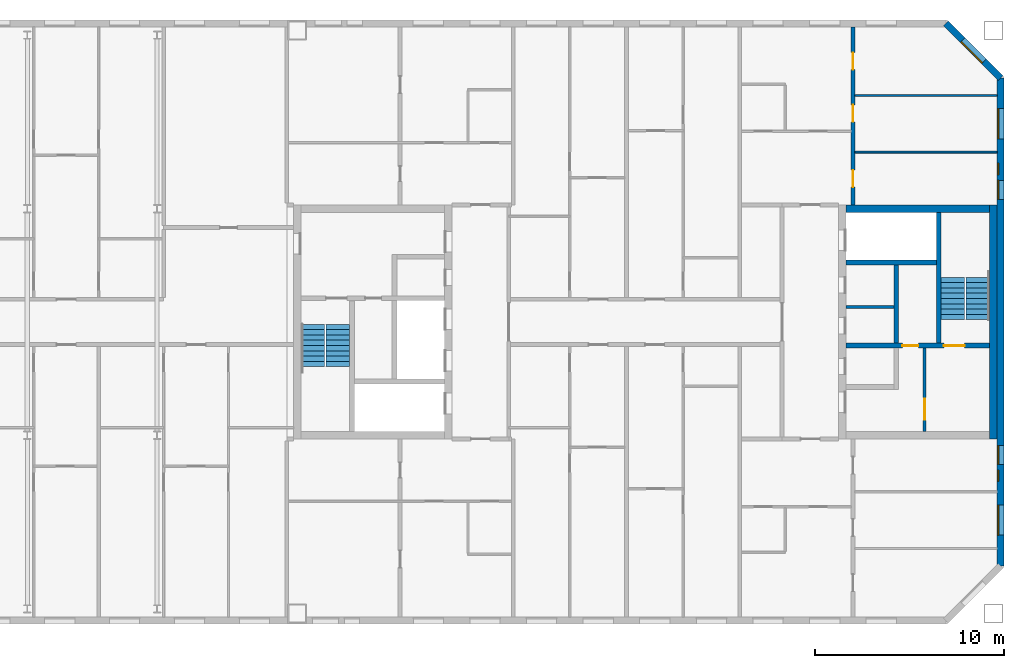
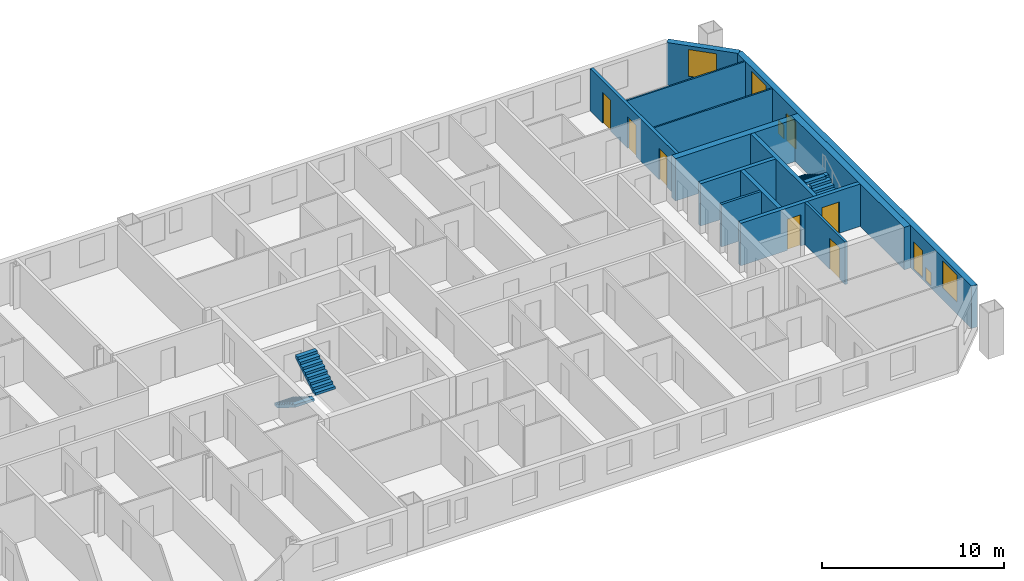
# One storey, part 17 of 19: 13 walls, 7 windows, 6 doors, 4 stair flights, 13 openings, 2 elements without a shape of their own.
"""IFC4 building model written with IfcOpenShell, lengths in metres."""

from ifc_helpers import new_model, si_unit, direction, frame, frame_2d, origin, place, context, subcontext, project, spatial, polyline, rectangle, outline, extrude, material, layer, layer_set, type_object, element, fill, aggregate, save


model = new_model("IFC4")

# Units and contexts
model_context = context("Model", 3, precision=1e-05, world=origin(), true_north=direction((0.0, 1.0)))
body_context = subcontext(model_context, "Body", "Model", "MODEL_VIEW")
ifc_project = project(units=[si_unit("LENGTHUNIT", "METRE"), si_unit("AREAUNIT", "SQUARE_METRE"), si_unit("VOLUMEUNIT", "CUBIC_METRE"), si_unit("PLANEANGLEUNIT", "RADIAN"), si_unit("MASSUNIT", "GRAM", prefix="KILO")], contexts=[model_context])

# Site, building, storey
site_placement = place(None, origin())
site = spatial("IfcSite", under=ifc_project, at=site_placement, CompositionType="ELEMENT")
building_placement = place(site_placement, origin())
building = spatial("IfcBuilding", under=site, at=building_placement, Name="Tuart Gate Housing", CompositionType="ELEMENT")
storey_placement = place(building_placement, frame((0.0, 0.0, 209.0)))
storey = spatial("IfcBuildingStorey", under=building, at=storey_placement, Name="L59", CompositionType="ELEMENT", Elevation=209.0)

# Wall, openings, windows
ifc_material_1 = material(Name="Brick", Category="masonry")
ifc_layer_1 = layer(ifc_material_1, 0.360107421875)
ifc_layer_set_1 = layer_set([ifc_layer_1], Name="Brick pier and spandrel wall 360")
wall_type_1 = type_object("IfcWallType", Name="Brick pier and spandrel wall 360", PredefinedType="STANDARD", material=ifc_layer_set_1)
wall_1_placement = place(storey_placement, frame((168.820068359375, 57.07470703125, 0.0), z_axis=(0.0, 0.0, 1.0), x_axis=(0.0, 1.0, 0.0)))
wall_1 = element("IfcWall", 1, at=wall_1_placement, inside=storey, type_object=wall_type_1, Name="External wall BLK-E L59", PredefinedType="STANDARD", context=body_context, shape_type="SweptSolid", body=[
    extrude(rectangle(XDim=25.850830078125, YDim=0.360107421875, at=frame_2d((12.92529296875, 0.0))), origin(), (0.0, 0.0, 1.0), 2.85009765625),
])
opening_1_placement = place(wall_1_placement, frame((1.62548828125, 0.0, 0.800048828125)))
opening_1 = element("IfcOpeningElement", 2, at=opening_1_placement, cuts=wall_1, Name="Opening W1", PredefinedType="OPENING", context=body_context, shape_type="SweptSolid", body=[
    extrude(rectangle(XDim=1.60009765625, YDim=1.800048828125, at=frame_2d((0.800048828125, 0.89990234375))), frame((0.0, 0.18994140625, 0.0), z_axis=(0.0, -1.0, 0.0), x_axis=(1.0, 0.0, 0.0)), (0.0, 0.0, 1.0), 0.380126953125),
])
opening_2_placement = place(wall_1_placement, frame((4.475341796875, 0.0, 0.14990234375)))
opening_2 = element("IfcOpeningElement", 3, at=opening_2_placement, cuts=wall_1, Name="Opening W1W", PredefinedType="OPENING", context=body_context, shape_type="SweptSolid", body=[
    extrude(rectangle(XDim=0.60009765625, YDim=0.89990234375, at=frame_2d((0.300048828125, 0.449951171875))), frame((0.0, 0.18994140625, 0.0), z_axis=(0.0, -1.0, 0.0), x_axis=(1.0, 0.0, 0.0)), (0.0, 0.0, 1.0), 0.380126953125),
])
opening_3_placement = place(wall_1_placement, frame((19.42529296875, 0.0, 0.25)))
opening_3 = element("IfcOpeningElement", 4, at=opening_3_placement, cuts=wall_1, Name="Opening W1C", PredefinedType="OPENING", context=body_context, shape_type="SweptSolid", body=[
    extrude(rectangle(XDim=1.0, YDim=1.800048828125, at=frame_2d((0.5, 0.89990234375))), frame((0.0, 0.18994140625, 0.0), z_axis=(0.0, -1.0, 0.0), x_axis=(1.0, 0.0, 0.0)), (0.0, 0.0, 1.0), 0.380126953125),
])
opening_4_placement = place(wall_1_placement, frame((22.62548828125, 0.0, 0.800048828125)))
opening_4 = element("IfcOpeningElement", 5, at=opening_4_placement, cuts=wall_1, Name="Opening W1", PredefinedType="OPENING", context=body_context, shape_type="SweptSolid", body=[
    extrude(rectangle(XDim=1.60009765625, YDim=1.800048828125, at=frame_2d((0.800048828125, 0.89990234375))), frame((0.0, 0.18994140625, 0.0), z_axis=(0.0, -1.0, 0.0), x_axis=(1.0, 0.0, 0.0)), (0.0, 0.0, 1.0), 0.380126953125),
])
opening_5_placement = place(wall_1_placement, frame((5.37548828125, 0.0, 0.14990234375)))
opening_5 = element("IfcOpeningElement", 6, at=opening_5_placement, cuts=wall_1, Name="Opening W1C", PredefinedType="OPENING", context=body_context, shape_type="SweptSolid", body=[
    extrude(rectangle(XDim=1.0, YDim=1.800048828125, at=frame_2d((0.5, 0.89990234375))), frame((0.0, 0.18994140625, 0.0), z_axis=(0.0, -1.0, 0.0), x_axis=(1.0, 0.0, 0.0)), (0.0, 0.0, 1.0), 0.380126953125),
])
opening_6_placement = place(wall_1_placement, frame((20.725341796875, 0.0, 0.14990234375)))
opening_6 = element("IfcOpeningElement", 7, at=opening_6_placement, cuts=wall_1, Name="Opening W1W", PredefinedType="OPENING", context=body_context, shape_type="SweptSolid", body=[
    extrude(rectangle(XDim=0.60009765625, YDim=0.89990234375, at=frame_2d((0.300048828125, 0.449951171875))), frame((0.0, 0.18994140625, 0.0), z_axis=(0.0, -1.0, 0.0), x_axis=(1.0, 0.0, 0.0)), (0.0, 0.0, 1.0), 0.380126953125),
])
ifc_material_2 = material(Name="Aluminium frame with clear glass", Category="aluminium")
window_type_1 = type_object("IfcWindowType", Name="Punched window 1000 x 1800", PartitioningType="SINGLE_PANEL", PredefinedType="WINDOW", material=ifc_material_2)
window_1_placement = place(opening_3_placement, origin())
window_1 = element("IfcWindow", 8, at=window_1_placement, inside=storey, type_object=window_type_1, Name="Window W1C", OverallHeight=1.800048828125, OverallWidth=1.0, PartitioningType="SINGLE_PANEL", PredefinedType="WINDOW", context=body_context, shape_type="SweptSolid", body=[
    extrude(rectangle(XDim=1.0, YDim=1.800048828125, at=frame_2d((0.5, 0.89990234375))), frame((0.0, 0.150146484375, 0.0), z_axis=(0.0, -1.0, 0.0), x_axis=(1.0, 0.0, 0.0)), (0.0, 0.0, 1.0), 0.06005859375),
])
fill(opening_3, window_1)
window_2_placement = place(opening_5_placement, origin())
window_2 = element("IfcWindow", 9, at=window_2_placement, inside=storey, type_object=window_type_1, Name="Window W1C", OverallHeight=1.800048828125, OverallWidth=1.0, PartitioningType="SINGLE_PANEL", PredefinedType="WINDOW", context=body_context, shape_type="SweptSolid", body=[
    extrude(rectangle(XDim=1.0, YDim=1.800048828125, at=frame_2d((0.5, 0.89990234375))), frame((0.0, 0.150146484375, 0.0), z_axis=(0.0, -1.0, 0.0), x_axis=(1.0, 0.0, 0.0)), (0.0, 0.0, 1.0), 0.06005859375),
])
fill(opening_5, window_2)
ifc_material_3 = material(Name="Aluminium frame with clear glass", Category="aluminium")
window_type_2 = type_object("IfcWindowType", Name="Punched window 1600 x 1800", PartitioningType="SINGLE_PANEL", PredefinedType="WINDOW", material=ifc_material_3)
window_3_placement = place(opening_1_placement, origin())
window_3 = element("IfcWindow", 10, at=window_3_placement, inside=storey, type_object=window_type_2, Name="Window W1", OverallHeight=1.800048828125, OverallWidth=1.60009765625, PartitioningType="SINGLE_PANEL", PredefinedType="WINDOW", context=body_context, shape_type="SweptSolid", body=[
    extrude(rectangle(XDim=1.60009765625, YDim=1.800048828125, at=frame_2d((0.800048828125, 0.89990234375))), frame((0.0, 0.150146484375, 0.0), z_axis=(0.0, -1.0, 0.0), x_axis=(1.0, 0.0, 0.0)), (0.0, 0.0, 1.0), 0.06005859375),
])
fill(opening_1, window_3)
window_4_placement = place(opening_4_placement, origin())
window_4 = element("IfcWindow", 11, at=window_4_placement, inside=storey, type_object=window_type_2, Name="Window W1", OverallHeight=1.800048828125, OverallWidth=1.60009765625, PartitioningType="SINGLE_PANEL", PredefinedType="WINDOW", context=body_context, shape_type="SweptSolid", body=[
    extrude(rectangle(XDim=1.60009765625, YDim=1.800048828125, at=frame_2d((0.800048828125, 0.89990234375))), frame((0.0, 0.150146484375, 0.0), z_axis=(0.0, -1.0, 0.0), x_axis=(1.0, 0.0, 0.0)), (0.0, 0.0, 1.0), 0.06005859375),
])
fill(opening_4, window_4)
ifc_material_4 = material(Name="Aluminium frame with clear glass", Category="aluminium")
window_type_3 = type_object("IfcWindowType", Name="Punched window 600 x 900", PartitioningType="SINGLE_PANEL", PredefinedType="WINDOW", material=ifc_material_4)
window_5_placement = place(opening_2_placement, origin())
window_5 = element("IfcWindow", 12, at=window_5_placement, inside=storey, type_object=window_type_3, Name="Window W1W", OverallHeight=0.89990234375, OverallWidth=0.60009765625, PartitioningType="SINGLE_PANEL", PredefinedType="WINDOW", context=body_context, shape_type="SweptSolid", body=[
    extrude(rectangle(XDim=0.60009765625, YDim=0.89990234375, at=frame_2d((0.300048828125, 0.449951171875))), frame((0.0, 0.150146484375, 0.0), z_axis=(0.0, -1.0, 0.0), x_axis=(1.0, 0.0, 0.0)), (0.0, 0.0, 1.0), 0.06005859375),
])
fill(opening_2, window_5)
window_6_placement = place(opening_6_placement, origin())
window_6 = element("IfcWindow", 13, at=window_6_placement, inside=storey, type_object=window_type_3, Name="Window W1W", OverallHeight=0.89990234375, OverallWidth=0.60009765625, PartitioningType="SINGLE_PANEL", PredefinedType="WINDOW", context=body_context, shape_type="SweptSolid", body=[
    extrude(rectangle(XDim=0.60009765625, YDim=0.89990234375, at=frame_2d((0.300048828125, 0.449951171875))), frame((0.0, 0.150146484375, 0.0), z_axis=(0.0, -1.0, 0.0), x_axis=(1.0, 0.0, 0.0)), (0.0, 0.0, 1.0), 0.06005859375),
])
fill(opening_6, window_6)

# Wall, opening, window
wall_2_placement = place(storey_placement, frame((168.820068359375, 82.92529296875, 0.0), z_axis=(0.0, 0.0, 1.0), x_axis=(-0.707106781187, 0.707106781187, 0.0)))
wall_2 = element("IfcWall", 14, at=wall_2_placement, inside=storey, type_object=wall_type_1, Name="External wall BLK-NE L59", PredefinedType="STANDARD", context=body_context, shape_type="SweptSolid", body=[
    extrude(rectangle(XDim=4.09375, YDim=0.360107421875, at=frame_2d((2.046875, 0.0))), origin(), (0.0, 0.0, 1.0), 2.85009765625),
])
opening_7_placement = place(wall_2_placement, frame((1.2470703125, 0.0, 0.800048828125)))
opening_7 = element("IfcOpeningElement", 15, at=opening_7_placement, cuts=wall_2, Name="Opening W1", PredefinedType="OPENING", context=body_context, shape_type="SweptSolid", body=[
    extrude(rectangle(XDim=1.60009765625, YDim=1.800048828125, at=frame_2d((0.800048828125, 0.89990234375))), frame((0.0, 0.18994140625, 0.0), z_axis=(0.0, -1.0, 0.0), x_axis=(1.0, 0.0, 0.0)), (0.0, 0.0, 1.0), 0.380126953125),
])
window_7_placement = place(opening_7_placement, origin())
window_7 = element("IfcWindow", 16, at=window_7_placement, inside=storey, type_object=window_type_2, Name="Window W1", OverallHeight=1.800048828125, OverallWidth=1.60009765625, PartitioningType="SINGLE_PANEL", PredefinedType="WINDOW", context=body_context, shape_type="SweptSolid", body=[
    extrude(rectangle(XDim=1.60009765625, YDim=1.800048828125, at=frame_2d((0.800048828125, 0.89990234375))), frame((0.0, 0.150146484375, 0.0), z_axis=(0.0, -1.0, 0.0), x_axis=(1.0, 0.0, 0.0)), (0.0, 0.0, 1.0), 0.06005859375),
])
fill(opening_7, window_7)

# Wall
ifc_material_5 = material(Name="Plasterboard partition")
ifc_layer_2 = layer(ifc_material_5, 0.14990234375)
ifc_layer_set_2 = layer_set([ifc_layer_2], Name="Core partition 150")
wall_type_2 = type_object("IfcWallType", Name="Core partition 150", PredefinedType="PARTITIONING", material=ifc_layer_set_2)
wall_3_placement = place(storey_placement, frame((160.639892578125, 70.800048828125, 0.0), z_axis=(0.0, 0.0, 1.0), x_axis=(1.0, 0.0, 0.0)))
element("IfcWall", 17, at=wall_3_placement, inside=storey, type_object=wall_type_2, Name="Core partition BK.2", PredefinedType="PARTITIONING", context=body_context, shape_type="SweptSolid", body=[
    extrude(rectangle(XDim=2.525146484375, YDim=0.14990234375, at=frame_2d((1.2626953125, 0.0))), origin(), (0.0, 0.0, 1.0), 2.85009765625),
])

# Wall, opening, door
wall_4_placement = place(storey_placement, frame((164.7900390625, 68.625, 0.0), z_axis=(0.0, 0.0, 1.0), x_axis=(0.0, -1.0, 0.0)))
wall_4 = element("IfcWall", 18, at=wall_4_placement, inside=storey, type_object=wall_type_2, Name="Core partition BK.7", PredefinedType="PARTITIONING", context=body_context, shape_type="SweptSolid", body=[
    extrude(rectangle(XDim=4.425048828125, YDim=0.14990234375, at=frame_2d((2.21240234375, 0.0))), origin(), (0.0, 0.0, 1.0), 2.85009765625),
])
opening_8_placement = place(wall_4_placement, frame((2.699951171875, 0.0, 0.0)))
opening_8 = element("IfcOpeningElement", 19, at=opening_8_placement, cuts=wall_4, Name="Opening D2258", PredefinedType="OPENING", context=body_context, shape_type="SweptSolid", body=[
    extrude(rectangle(XDim=1.10009765625, YDim=2.10009765625, at=frame_2d((0.550048828125, 1.050048828125))), frame((0.0, 0.0849609375, 0.0), z_axis=(0.0, -1.0, 0.0), x_axis=(1.0, 0.0, 0.0)), (0.0, 0.0, 1.0), 0.169921875),
])
ifc_material_6 = material(Name="Steel fire door", Category="steel")
door_type_1 = type_object("IfcDoorType", Name="Lobby door 1100 x 2100 RH", OperationType="SINGLE_SWING_RIGHT", PredefinedType="DOOR", material=ifc_material_6)
door_1_placement = place(opening_8_placement, origin())
door_1 = element("IfcDoor", 20, at=door_1_placement, inside=storey, type_object=door_type_1, Name="Smoke lobby door BK.KD", OperationType="SINGLE_SWING_RIGHT", OverallHeight=2.10009765625, OverallWidth=1.10009765625, PredefinedType="DOOR", context=body_context, shape_type="SweptSolid", body=[
    extrude(rectangle(XDim=1.10009765625, YDim=2.10009765625, at=frame_2d((0.550048828125, 1.050048828125))), frame((0.0, 0.02490234375, 0.0), z_axis=(0.0, -1.0, 0.0), x_axis=(1.0, 0.0, 0.0)), (0.0, 0.0, 1.0), 0.050048828125),
])
fill(opening_8, door_1)

# Wall
ifc_material_7 = material(Name="Concrete C40", Category="concrete")
ifc_layer_3 = layer(ifc_material_7, 0.25)
ifc_layer_set_3 = layer_set([ifc_layer_3], Name="Core wall 250 C40")
wall_type_3 = type_object("IfcWallType", Name="Core wall 250 C40", PredefinedType="SHEAR", material=ifc_layer_set_3)
wall_5_placement = place(storey_placement, frame((160.639892578125, 73.14990234375, 0.0), z_axis=(0.0, 0.0, 1.0), x_axis=(1.0, 0.0, 0.0)))
element("IfcWall", 21, at=wall_5_placement, inside=storey, type_object=wall_type_3, Name="Core wall BK.1", PredefinedType="SHEAR", context=body_context, shape_type="SweptSolid", body=[
    extrude(rectangle(XDim=4.775146484375, YDim=0.25, at=frame_2d((2.3876953125, 0.0))), origin(), (0.0, 0.0, 1.0), 2.85009765625),
])

# Wall, openings, doors
wall_6_placement = place(storey_placement, frame((160.639892578125, 68.75, 0.0), z_axis=(0.0, 0.0, 1.0), x_axis=(1.0, 0.0, 0.0)))
wall_6 = element("IfcWall", 22, at=wall_6_placement, inside=storey, type_object=wall_type_3, Name="Core wall BK.3", PredefinedType="SHEAR", context=body_context, shape_type="SweptSolid", body=[
    extrude(rectangle(XDim=7.60009765625, YDim=0.25, at=frame_2d((3.800048828125, 0.0))), origin(), (0.0, 0.0, 1.0), 2.85009765625),
])
opening_9_placement = place(wall_6_placement, frame((5.175048828125, 0.0, 0.0)))
opening_9 = element("IfcOpeningElement", 23, at=opening_9_placement, cuts=wall_6, Name="Opening D2257", PredefinedType="OPENING", context=body_context, shape_type="SweptSolid", body=[
    extrude(rectangle(XDim=1.10009765625, YDim=2.10009765625, at=frame_2d((0.550048828125, 1.050048828125))), frame((0.0, 0.135009765625, 0.0), z_axis=(0.0, -1.0, 0.0), x_axis=(1.0, 0.0, 0.0)), (0.0, 0.0, 1.0), 0.27001953125),
])
opening_10_placement = place(wall_6_placement, frame((2.97509765625, 0.0, 0.0)))
opening_10 = element("IfcOpeningElement", 24, at=opening_10_placement, cuts=wall_6, Name="Opening D2256", PredefinedType="OPENING", context=body_context, shape_type="SweptSolid", body=[
    extrude(rectangle(XDim=0.85009765625, YDim=2.10009765625, at=frame_2d((0.425048828125, 1.050048828125))), frame((0.0, 0.135009765625, 0.0), z_axis=(0.0, -1.0, 0.0), x_axis=(1.0, 0.0, 0.0)), (0.0, 0.0, 1.0), 0.27001953125),
])
ifc_material_8 = material(Name="Steel fire door", Category="steel")
door_type_2 = type_object("IfcDoorType", Name="Riser door 850 x 2100", OperationType="SINGLE_SWING_LEFT", PredefinedType="DOOR", material=ifc_material_8)
door_2_placement = place(opening_10_placement, origin())
door_2 = element("IfcDoor", 25, at=door_2_placement, inside=storey, type_object=door_type_2, Name="Service room door BK.W1", OperationType="SINGLE_SWING_LEFT", OverallHeight=2.10009765625, OverallWidth=0.85009765625, PredefinedType="DOOR", context=body_context, shape_type="SweptSolid", body=[
    extrude(rectangle(XDim=0.85009765625, YDim=2.10009765625, at=frame_2d((0.425048828125, 1.050048828125))), frame((0.0, 0.02490234375, 0.0), z_axis=(0.0, -1.0, 0.0), x_axis=(1.0, 0.0, 0.0)), (0.0, 0.0, 1.0), 0.050048828125),
])
fill(opening_10, door_2)
ifc_material_9 = material(Name="Steel fire door", Category="steel")
door_type_3 = type_object("IfcDoorType", Name="Stair door 1100 x 2100", OperationType="SINGLE_SWING_LEFT", PredefinedType="DOOR", material=ifc_material_9)
door_3_placement = place(opening_9_placement, origin())
door_3 = element("IfcDoor", 26, at=door_3_placement, inside=storey, type_object=door_type_3, Name="Stair door BK.SD", OperationType="SINGLE_SWING_LEFT", OverallHeight=2.10009765625, OverallWidth=1.10009765625, PredefinedType="DOOR", context=body_context, shape_type="SweptSolid", body=[
    extrude(rectangle(XDim=1.10009765625, YDim=2.10009765625, at=frame_2d((0.550048828125, 1.050048828125))), frame((0.0, 0.02490234375, 0.0), z_axis=(0.0, -1.0, 0.0), x_axis=(1.0, 0.0, 0.0)), (0.0, 0.0, 1.0), 0.050048828125),
])
fill(opening_9, door_3)

# Walls
wall_7_placement = place(storey_placement, frame((163.2900390625, 73.02490234375, 0.0), z_axis=(0.0, 0.0, 1.0), x_axis=(0.0, -1.0, 0.0)))
element("IfcWall", 27, at=wall_7_placement, inside=storey, type_object=wall_type_3, Name="Core wall BK.5", PredefinedType="SHEAR", context=body_context, shape_type="SweptSolid", body=[
    extrude(rectangle(XDim=4.14990234375, YDim=0.25, at=frame_2d((2.074951171875, 0.0))), origin(), (0.0, 0.0, 1.0), 2.85009765625),
])
wall_8_placement = place(storey_placement, frame((165.5400390625, 75.800048828125, 0.0), z_axis=(0.0, 0.0, 1.0), x_axis=(0.0, -1.0, 0.0)))
element("IfcWall", 28, at=wall_8_placement, inside=storey, type_object=wall_type_3, Name="Core wall BK.8", PredefinedType="SHEAR", context=body_context, shape_type="SweptSolid", body=[
    extrude(rectangle(XDim=6.925048828125, YDim=0.25, at=frame_2d((3.46240234375, 0.0))), origin(), (0.0, 0.0, 1.0), 2.85009765625),
])
ifc_material_10 = material(Name="Concrete C40", Category="concrete")
ifc_layer_4 = layer(ifc_material_10, 0.39990234375)
ifc_layer_set_4 = layer_set([ifc_layer_4], Name="Core wall 400 C40")
wall_type_4 = type_object("IfcWallType", Name="Core wall 400 C40", PredefinedType="SHEAR", material=ifc_layer_set_4)
wall_9_placement = place(storey_placement, frame((168.43994140625, 76.199951171875, 0.0), z_axis=(0.0, 0.0, 1.0), x_axis=(0.0, -1.0, 0.0)))
element("IfcWall", 29, at=wall_9_placement, inside=storey, type_object=wall_type_4, Name="Core wall BK back", PredefinedType="SHEAR", context=body_context, shape_type="SweptSolid", body=[
    extrude(rectangle(XDim=12.39990234375, YDim=0.39990234375, at=frame_2d((6.199951171875, 0.0))), origin(), (0.0, 0.0, 1.0), 2.85009765625),
])
wall_10_placement = place(storey_placement, frame((160.639892578125, 76.0, 0.0), z_axis=(0.0, 0.0, 1.0), x_axis=(1.0, 0.0, 0.0)))
element("IfcWall", 30, at=wall_10_placement, inside=storey, type_object=wall_type_4, Name="Core wall BK south", PredefinedType="SHEAR", context=body_context, shape_type="SweptSolid", body=[
    extrude(rectangle(XDim=7.60009765625, YDim=0.39990234375, at=frame_2d((3.800048828125, 0.0))), origin(), (0.0, 0.0, 1.0), 2.85009765625),
])
ifc_material_11 = material(Name="Gypsum board on steel studs", Category="steel")
ifc_layer_5 = layer(ifc_material_11, 0.10009765625)
ifc_layer_set_5 = layer_set([ifc_layer_5], Name="Partition 100")
wall_type_5 = type_object("IfcWallType", Name="Partition 100", PredefinedType="PARTITIONING", material=ifc_layer_set_5)
for number, where, z_axis, x_axis, name in (
    (31, (161.10009765625, 79.0, 0.0), (0.0, 0.0, 1.0), (1.0, 0.0, 0.0), "Partition 100"),
    (32, (161.10009765625, 82.0, 0.0), (0.0, 0.0, 1.0), (1.0, 0.0, 0.0), "Partition 100"),
):
    element("IfcWall", number, at=place(storey_placement, frame(where, z_axis=z_axis, x_axis=x_axis)), inside=storey, type_object=wall_type_5, Name=name, PredefinedType="PARTITIONING", context=body_context, shape_type="SweptSolid", body=[
        extrude(rectangle(XDim=7.539794921875, YDim=0.10009765625, at=frame_2d((3.77001953125, 0.0))), origin(), (0.0, 0.0, 1.0), 2.85009765625),
    ])

# Wall, openings, doors
ifc_material_12 = material(Name="Concrete C40", Category="concrete")
ifc_layer_6 = layer(ifc_material_12, 0.199951171875)
ifc_layer_set_6 = layer_set([ifc_layer_6], Name="Party wall concrete C40 200")
wall_type_6 = type_object("IfcWallType", Name="Party wall concrete C40 200", PredefinedType="SOLIDWALL", material=ifc_layer_set_6)
wall_11_placement = place(storey_placement, frame((161.0, 76.199951171875, 0.0), z_axis=(0.0, 0.0, 1.0), x_axis=(0.0, 1.0, 0.0)))
wall_11 = element("IfcWall", 33, at=wall_11_placement, inside=storey, type_object=wall_type_6, Name="Party wall concrete C40 200", PredefinedType="SOLIDWALL", context=body_context, shape_type="SweptSolid", body=[
    extrude(rectangle(XDim=9.43994140625, YDim=0.199951171875, at=frame_2d((4.719970703125, 0.0))), origin(), (0.0, 0.0, 1.0), 2.85009765625),
])
opening_11_placement = place(wall_11_placement, frame((7.169921875, 0.0, 0.0)))
opening_11 = element("IfcOpeningElement", 34, at=opening_11_placement, cuts=wall_11, Name="Opening D2226", PredefinedType="OPENING", context=body_context, shape_type="SweptSolid", body=[
    extrude(rectangle(XDim=0.89990234375, YDim=2.10009765625, at=frame_2d((0.449951171875, 1.050048828125))), frame((0.0, 0.10986328125, 0.0), z_axis=(0.0, -1.0, 0.0), x_axis=(1.0, 0.0, 0.0)), (0.0, 0.0, 1.0), 0.219970703125),
])
opening_12_placement = place(wall_11_placement, frame((4.39990234375, 0.0, 0.0)))
opening_12 = element("IfcOpeningElement", 35, at=opening_12_placement, cuts=wall_11, Name="Opening D2227", PredefinedType="OPENING", context=body_context, shape_type="SweptSolid", body=[
    extrude(rectangle(XDim=0.89990234375, YDim=2.10009765625, at=frame_2d((0.449951171875, 1.050048828125))), frame((0.0, 0.10986328125, 0.0), z_axis=(0.0, -1.0, 0.0), x_axis=(1.0, 0.0, 0.0)), (0.0, 0.0, 1.0), 0.219970703125),
])
opening_13_placement = place(wall_11_placement, frame((0.949951171875, 0.0, 0.0)))
opening_13 = element("IfcOpeningElement", 36, at=opening_13_placement, cuts=wall_11, Name="Opening D2228", PredefinedType="OPENING", context=body_context, shape_type="SweptSolid", body=[
    extrude(rectangle(XDim=0.89990234375, YDim=2.10009765625, at=frame_2d((0.449951171875, 1.050048828125))), frame((0.0, 0.10986328125, 0.0), z_axis=(0.0, -1.0, 0.0), x_axis=(1.0, 0.0, 0.0)), (0.0, 0.0, 1.0), 0.219970703125),
])
ifc_material_13 = material(Name="Timber door leaf in steel frame", Category="steel")
door_type_4 = type_object("IfcDoorType", Name="Internal door 900", OperationType="SINGLE_SWING_LEFT", PredefinedType="DOOR", material=ifc_material_13)
door_4_placement = place(opening_12_placement, frame((0.89990234375, 0.0, 0.0), z_axis=(0.0, 0.0, 1.0), x_axis=(-1.0, 0.0, 0.0)))
door_4 = element("IfcDoor", 37, at=door_4_placement, inside=storey, type_object=door_type_4, Name="Internal door", OperationType="SINGLE_SWING_LEFT", OverallHeight=2.10009765625, OverallWidth=0.89990234375, PredefinedType="DOOR", context=body_context, shape_type="SweptSolid", body=[
    extrude(rectangle(XDim=0.89990234375, YDim=2.10009765625, at=frame_2d((0.449951171875, 1.050048828125))), frame((0.0, 0.025146484375, 0.0), z_axis=(0.0, -1.0, 0.0), x_axis=(1.0, 0.0, 0.0)), (0.0, 0.0, 1.0), 0.050048828125),
])
fill(opening_12, door_4)
ifc_material_14 = material(Name="Timber door leaf in steel frame", Category="steel")
door_type_5 = type_object("IfcDoorType", Name="Internal door 900 RH", OperationType="SINGLE_SWING_RIGHT", PredefinedType="DOOR", material=ifc_material_14)
door_5_placement = place(opening_11_placement, frame((0.89990234375, 0.0, 0.0), z_axis=(0.0, 0.0, 1.0), x_axis=(-1.0, 0.0, 0.0)))
door_5 = element("IfcDoor", 38, at=door_5_placement, inside=storey, type_object=door_type_5, Name="Internal door", OperationType="SINGLE_SWING_RIGHT", OverallHeight=2.10009765625, OverallWidth=0.89990234375, PredefinedType="DOOR", context=body_context, shape_type="SweptSolid", body=[
    extrude(rectangle(XDim=0.89990234375, YDim=2.10009765625, at=frame_2d((0.449951171875, 1.050048828125))), frame((0.0, 0.025146484375, 0.0), z_axis=(0.0, -1.0, 0.0), x_axis=(1.0, 0.0, 0.0)), (0.0, 0.0, 1.0), 0.050048828125),
])
fill(opening_11, door_5)
door_6_placement = place(opening_13_placement, frame((0.89990234375, 0.0, 0.0), z_axis=(0.0, 0.0, 1.0), x_axis=(-1.0, 0.0, 0.0)))
door_6 = element("IfcDoor", 39, at=door_6_placement, inside=storey, type_object=door_type_5, Name="Internal door", OperationType="SINGLE_SWING_RIGHT", OverallHeight=2.10009765625, OverallWidth=0.89990234375, PredefinedType="DOOR", context=body_context, shape_type="SweptSolid", body=[
    extrude(rectangle(XDim=0.89990234375, YDim=2.10009765625, at=frame_2d((0.449951171875, 1.050048828125))), frame((0.0, 0.025146484375, 0.0), z_axis=(0.0, -1.0, 0.0), x_axis=(1.0, 0.0, 0.0)), (0.0, 0.0, 1.0), 0.050048828125),
])
fill(opening_13, door_6)

# Stair, stair flights
ifc_material_15 = material(Name="Concrete C40", Category="concrete")
stair_type = type_object("IfcStairType", Name="Core stair 1250", PredefinedType="HALF_TURN_STAIR", material=ifc_material_15)
stair_1_placement = place(storey_placement, origin())
stair_1 = element("IfcStair", 40, at=stair_1_placement, inside=storey, type_object=stair_type, Name="Stair SB1", PredefinedType="HALF_TURN_STAIR")
ifc_material_16 = material(Name="Concrete C40", Category="concrete")
stair_flight_type = type_object("IfcStairFlightType", Name="Stair flight 1250, 9 risers 172 x 280", PredefinedType="STRAIGHT", material=ifc_material_16)
stair_flight_1_placement = place(storey_placement, frame((132.385009765625, 69.875, 0.0), z_axis=(0.0, 0.0, 1.0), x_axis=(0.0, -1.0, 0.0)))
stair_flight_1 = element("IfcStairFlight", 41, at=stair_flight_1_placement, type_object=stair_flight_type, Name="SB1 flight 1", NumberOfRisers=9, NumberOfTreads=8, PredefinedType="STRAIGHT", RiserHeight=0.172222222, TreadLength=0.28, context=body_context, shape_type="SweptSolid", body=[
    extrude(outline(polyline([(0.0, 0.0), (0.0, 0.172119140625), (0.280029296875, 0.172119140625), (0.280029296875, 0.344482421875), (0.56005859375, 0.344482421875), (0.56005859375, 0.5166015625), (0.840087890625, 0.5166015625), (0.840087890625, 0.68896484375), (1.1201171875, 0.68896484375), (1.1201171875, 0.861083984375), (1.39990234375, 0.861083984375), (1.39990234375, 1.033447265625), (1.679931640625, 1.033447265625), (1.679931640625, 1.20556640625), (1.9599609375, 1.20556640625), (1.9599609375, 1.377685546875), (2.239990234375, 1.377685546875), (2.239990234375, 1.550048828125), (2.239990234375, 1.201904296875), (0.2861328125, 0.0), (0.0, 0.0)])), frame((0.0, 0.625, 0.0), z_axis=(0.0, -1.0, 0.0), x_axis=(1.0, 0.0, 0.0)), (0.0, 0.0, 1.0), 1.25),
])
stair_flight_2_placement = place(storey_placement, frame((133.7099609375, 67.635009765625, 1.550048828125), z_axis=(0.0, 0.0, 1.0), x_axis=(0.0, 1.0, 0.0)))
stair_flight_2 = element("IfcStairFlight", 42, at=stair_flight_2_placement, type_object=stair_flight_type, Name="SB1 flight 2", NumberOfRisers=9, NumberOfTreads=8, PredefinedType="STRAIGHT", RiserHeight=0.172222222, TreadLength=0.28, context=body_context, shape_type="SweptSolid", body=[
    extrude(outline(polyline([(0.0, 0.0), (0.0, 0.172119140625), (0.280029296875, 0.172119140625), (0.280029296875, 0.344482421875), (0.56005859375, 0.344482421875), (0.56005859375, 0.5166015625), (0.840087890625, 0.5166015625), (0.840087890625, 0.68896484375), (1.1201171875, 0.68896484375), (1.1201171875, 0.861083984375), (1.39990234375, 0.861083984375), (1.39990234375, 1.033447265625), (1.679931640625, 1.033447265625), (1.679931640625, 1.20556640625), (1.9599609375, 1.20556640625), (1.9599609375, 1.377685546875), (2.239990234375, 1.377685546875), (2.239990234375, 1.550048828125), (2.239990234375, 1.201904296875), (0.2861328125, 0.0), (0.0, 0.0)])), frame((0.0, 0.625, 0.0), z_axis=(0.0, -1.0, 0.0), x_axis=(1.0, 0.0, 0.0)), (0.0, 0.0, 1.0), 1.25),
])
aggregate(stair_1, [stair_flight_1, stair_flight_2])

stair_2_placement = place(storey_placement, origin())
stair_2 = element("IfcStair", 43, at=stair_2_placement, inside=storey, type_object=stair_type, Name="Stair SB2", PredefinedType="HALF_TURN_STAIR")
stair_flight_3_placement = place(storey_placement, frame((167.614990234375, 70.125, 0.0), z_axis=(0.0, 0.0, 1.0), x_axis=(0.0, 1.0, 0.0)))
stair_flight_3 = element("IfcStairFlight", 44, at=stair_flight_3_placement, type_object=stair_flight_type, Name="SB2 flight 1", NumberOfRisers=9, NumberOfTreads=8, PredefinedType="STRAIGHT", RiserHeight=0.172222222, TreadLength=0.28, context=body_context, shape_type="SweptSolid", body=[
    extrude(outline(polyline([(0.0, 0.0), (0.0, 0.172119140625), (0.280029296875, 0.172119140625), (0.280029296875, 0.344482421875), (0.56005859375, 0.344482421875), (0.56005859375, 0.5166015625), (0.840087890625, 0.5166015625), (0.840087890625, 0.68896484375), (1.1201171875, 0.68896484375), (1.1201171875, 0.861083984375), (1.39990234375, 0.861083984375), (1.39990234375, 1.033447265625), (1.679931640625, 1.033447265625), (1.679931640625, 1.20556640625), (1.9599609375, 1.20556640625), (1.9599609375, 1.377685546875), (2.239990234375, 1.377685546875), (2.239990234375, 1.550048828125), (2.239990234375, 1.201904296875), (0.2861328125, 0.0), (0.0, 0.0)])), frame((0.0, 0.625, 0.0), z_axis=(0.0, -1.0, 0.0), x_axis=(1.0, 0.0, 0.0)), (0.0, 0.0, 1.0), 1.25),
])
stair_flight_4_placement = place(storey_placement, frame((166.2900390625, 72.364990234375, 1.550048828125), z_axis=(0.0, 0.0, 1.0), x_axis=(0.0, -1.0, 0.0)))
stair_flight_4 = element("IfcStairFlight", 45, at=stair_flight_4_placement, type_object=stair_flight_type, Name="SB2 flight 2", NumberOfRisers=9, NumberOfTreads=8, PredefinedType="STRAIGHT", RiserHeight=0.172222222, TreadLength=0.28, context=body_context, shape_type="SweptSolid", body=[
    extrude(outline(polyline([(0.0, 0.0), (0.0, 0.172119140625), (0.280029296875, 0.172119140625), (0.280029296875, 0.344482421875), (0.56005859375, 0.344482421875), (0.56005859375, 0.5166015625), (0.840087890625, 0.5166015625), (0.840087890625, 0.68896484375), (1.1201171875, 0.68896484375), (1.1201171875, 0.861083984375), (1.39990234375, 0.861083984375), (1.39990234375, 1.033447265625), (1.679931640625, 1.033447265625), (1.679931640625, 1.20556640625), (1.9599609375, 1.20556640625), (1.9599609375, 1.377685546875), (2.239990234375, 1.377685546875), (2.239990234375, 1.550048828125), (2.239990234375, 1.201904296875), (0.2861328125, 0.0), (0.0, 0.0)])), frame((0.0, 0.625, 0.0), z_axis=(0.0, -1.0, 0.0), x_axis=(1.0, 0.0, 0.0)), (0.0, 0.0, 1.0), 1.25),
])
aggregate(stair_2, [stair_flight_3, stair_flight_4])

save(model, "model.ifc")
